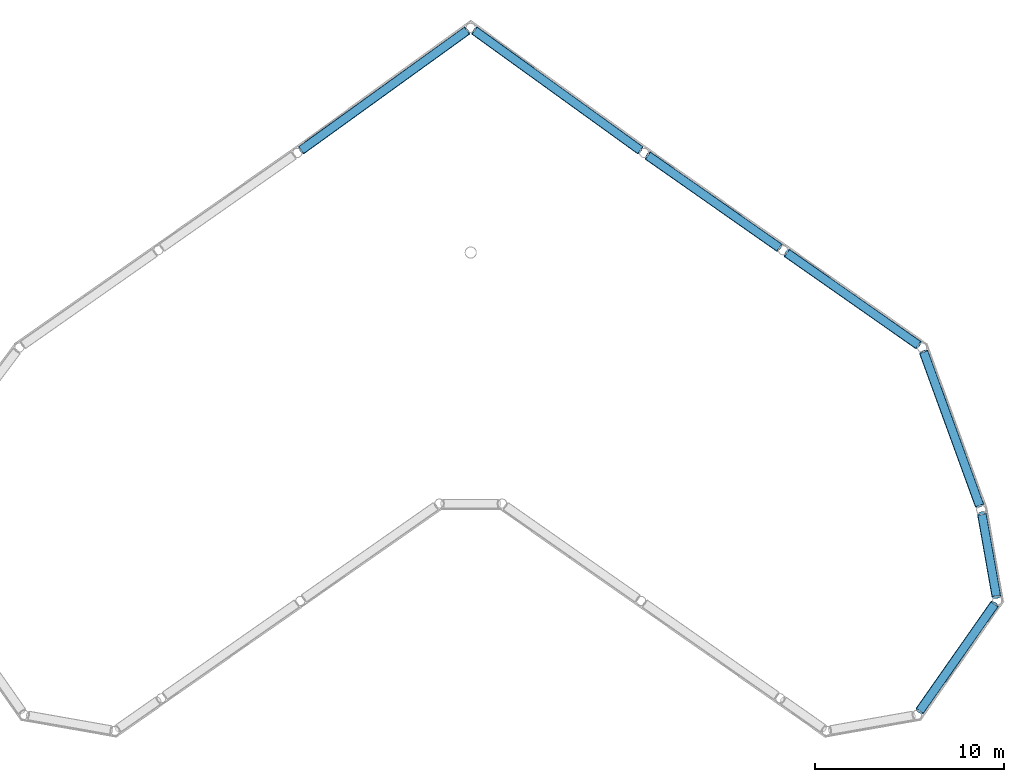
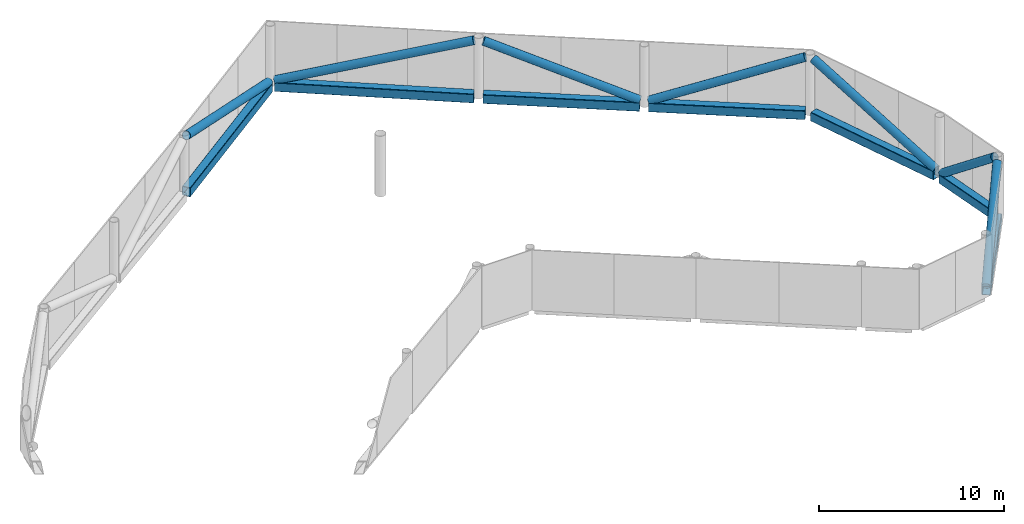
# One storey, part 3 of 4: 7 beams, 7 members.
"""IFC4 building model written with IfcOpenShell, lengths in metres."""

from ifc_helpers import new_model, si_unit, direction, frame, origin, origin_2d, place, context, subcontext, project, spatial, hollow_rectangle, hollow_circle, extrude, material, material_profile, profile_set, type_object, element, save


model = new_model("IFC4")

# Units and contexts
model_context = context("Model", 3, precision=1e-05, world=origin(), true_north=direction((0.0, 1.0)))
body_context = subcontext(model_context, "Body", "Model", "MODEL_VIEW")
ifc_project = project(units=[si_unit("LENGTHUNIT", "METRE"), si_unit("AREAUNIT", "SQUARE_METRE"), si_unit("VOLUMEUNIT", "CUBIC_METRE"), si_unit("PLANEANGLEUNIT", "RADIAN"), si_unit("MASSUNIT", "GRAM", prefix="KILO")], contexts=[model_context])

# Site, building, storey
site_placement = place(None, origin())
site = spatial("IfcSite", under=ifc_project, at=site_placement, CompositionType="ELEMENT")
building_placement = place(site_placement, origin())
building = spatial("IfcBuilding", under=site, at=building_placement, Name="Tel Ilan Convention Tower", CompositionType="ELEMENT")
storey_placement = place(building_placement, frame((0.0, 0.0, 330.800048828125)))
storey = spatial("IfcBuildingStorey", under=building, at=storey_placement, Name="L78", CompositionType="ELEMENT", Elevation=330.800048828125)

# Members
ifc_material_1 = material(Name="Steel S355", Category="steel")
ifc_material_profile_1 = material_profile(ifc_material_1, hollow_circle(Radius=0.25390625, WallThickness=0.01611328125, at=origin_2d()), Name="CHS 508x16")
ifc_profile_set_1 = profile_set([ifc_material_profile_1], Name="Steel S355")
member_type = type_object("IfcMemberType", Name="CROWN FRAME BRACE CHS 508x16", PredefinedType="BRACE", material=ifc_profile_set_1)
member_1_placement = place(storey_placement, frame((23.817626953125, -24.302978515625, 0.300048828125), z_axis=(0.514421702531, 0.734624940888, 0.442375980576), x_axis=(-0.81913539389, 0.573600214851, 0.0)))
element("IfcMember", 1, at=member_1_placement, inside=storey, type_object=member_type, Name="CROWN FRAME brace", PredefinedType="BRACE", context=body_context, shape_type="SweptSolid", body=[
    extrude(hollow_circle(Radius=0.25390625, WallThickness=0.01611328125, at=origin_2d()), origin(), (0.0, 0.0, 1.0), 7.685546875),
])
member_2_placement = place(storey_placement, frame((27.872802734375, -18.198974609375, 3.699951171875), z_axis=(-0.137019267029, 0.777368319025, -0.613941542037), x_axis=(-0.984818960578, -0.173584604405, 0.0)))
element("IfcMember", 2, at=member_2_placement, inside=storey, type_object=member_type, Name="CROWN FRAME brace", PredefinedType="BRACE", context=body_context, shape_type="SweptSolid", body=[
    extrude(hollow_circle(Radius=0.25390625, WallThickness=0.01611328125, at=origin_2d()), origin(), (0.0, 0.0, 1.0), 5.537841796875),
])
member_3_placement = place(storey_placement, frame((26.983154296875, -13.4052734375, 0.300048828125), z_axis=(-0.318502301018, 0.874442667543, 0.36593210494), x_axis=(-0.939612751601, -0.342239502439, 0.0)))
element("IfcMember", 3, at=member_3_placement, inside=storey, type_object=member_type, Name="CROWN FRAME brace", PredefinedType="BRACE", context=body_context, shape_type="SweptSolid", body=[
    extrude(hollow_circle(Radius=0.25390625, WallThickness=0.01611328125, at=origin_2d()), origin(), (0.0, 0.0, 1.0), 9.291015625),
])
member_4_placement = place(storey_placement, frame((23.72900390625, -4.896240234375, 3.699951171875), z_axis=(-0.760425108847, 0.532553791307, -0.371672050604), x_axis=(-0.573647554936, -0.819102241918, 0.0)))
element("IfcMember", 4, at=member_4_placement, inside=storey, type_object=member_type, Name="CROWN FRAME brace", PredefinedType="BRACE", context=body_context, shape_type="SweptSolid", body=[
    extrude(hollow_circle(Radius=0.25390625, WallThickness=0.01611328125, at=origin_2d()), origin(), (0.0, 0.0, 1.0), 9.147705078125),
])
member_5_placement = place(storey_placement, frame((16.35693359375, 0.2666015625, 0.300048828125), z_axis=(-0.760457085565, 0.532488114036, 0.371700725618), x_axis=(-0.573583902989, -0.819146816042, 0.0)))
element("IfcMember", 5, at=member_5_placement, inside=storey, type_object=member_type, Name="CROWN FRAME brace", PredefinedType="BRACE", context=body_context, shape_type="SweptSolid", body=[
    extrude(hollow_circle(Radius=0.25390625, WallThickness=0.01611328125, at=origin_2d()), origin(), (0.0, 0.0, 1.0), 9.14697265625),
])
for number, where, z_axis, x_axis, name in (
    (6, (8.987060546875, 5.431640625, 3.699951171875), (-0.773630892518, 0.558364176575, -0.299540795985), (-0.585236177645, -0.810862883831, 0.0), "CROWN FRAME brace"),
    (7, (-0.2060546875, 11.769287109375, 0.300048828125), (-0.773630892518, -0.558364176575, 0.299540795985), (0.585236177645, -0.810862883831, 0.0), "CROWN FRAME brace"),
):
    element("IfcMember", number, at=place(storey_placement, frame(where, z_axis=z_axis, x_axis=x_axis)), inside=storey, type_object=member_type, Name=name, PredefinedType="BRACE", context=body_context, shape_type="SweptSolid", body=[
        extrude(hollow_circle(Radius=0.25390625, WallThickness=0.01611328125, at=origin_2d()), origin(), (0.0, 0.0, 1.0), 11.350341796875),
    ])

# Beams
ifc_material_2 = material(Name="Steel S355", Category="steel")
ifc_material_profile_2 = material_profile(ifc_material_2, hollow_rectangle(XDim=0.5, YDim=0.60009765625, WallThickness=0.02490234375, InnerFilletRadius=0.02490234375, OuterFilletRadius=0.050048828125, at=origin_2d()), Name="RHS 600x500x25")
ifc_profile_set_2 = profile_set([ifc_material_profile_2], Name="Steel S355")
beam_type = type_object("IfcBeamType", Name="CROWN FRAME RING BEAM RHS 600x500x25", PredefinedType="BEAM", material=ifc_profile_set_2)
beam_1_placement = place(storey_placement, frame((23.817626953125, -24.302978515625, 0.0), z_axis=(0.573600214851, 0.81913539389, 0.0), x_axis=(-0.81913539389, 0.573600214851, 0.0)))
element("IfcBeam", 8, at=beam_1_placement, inside=storey, type_object=beam_type, Name="CROWN FRAME ring beam", PredefinedType="BEAM", context=body_context, shape_type="SweptSolid", body=[
    extrude(hollow_rectangle(XDim=0.5, YDim=0.60009765625, WallThickness=0.02490234375, InnerFilletRadius=0.02490234375, OuterFilletRadius=0.050048828125, at=origin_2d()), origin(), (0.0, 0.0, 1.0), 6.892578125),
])
beam_2_placement = place(storey_placement, frame((27.872802734375, -18.198974609375, 0.0), z_axis=(-0.173584604405, 0.984818960578, 0.0), x_axis=(-0.984818960578, -0.173584604405, 0.0)))
element("IfcBeam", 9, at=beam_2_placement, inside=storey, type_object=beam_type, Name="CROWN FRAME ring beam", PredefinedType="BEAM", context=body_context, shape_type="SweptSolid", body=[
    extrude(hollow_rectangle(XDim=0.5, YDim=0.60009765625, WallThickness=0.02490234375, InnerFilletRadius=0.02490234375, OuterFilletRadius=0.050048828125, at=origin_2d()), origin(), (0.0, 0.0, 1.0), 4.371337890625),
])
beam_3_placement = place(storey_placement, frame((26.983154296875, -13.4052734375, 0.0), z_axis=(-0.342239502439, 0.939612751601, 0.0), x_axis=(-0.939612751601, -0.342239502439, 0.0)))
element("IfcBeam", 10, at=beam_3_placement, inside=storey, type_object=beam_type, Name="CROWN FRAME ring beam", PredefinedType="BEAM", context=body_context, shape_type="SweptSolid", body=[
    extrude(hollow_rectangle(XDim=0.5, YDim=0.60009765625, WallThickness=0.02490234375, InnerFilletRadius=0.02490234375, OuterFilletRadius=0.050048828125, at=origin_2d()), origin(), (0.0, 0.0, 1.0), 8.646728515625),
])
beam_4_placement = place(storey_placement, frame((23.72900390625, -4.896240234375, 0.0), z_axis=(-0.819102241918, 0.573647554936, 0.0), x_axis=(-0.573647554936, -0.819102241918, 0.0)))
element("IfcBeam", 11, at=beam_4_placement, inside=storey, type_object=beam_type, Name="CROWN FRAME ring beam", PredefinedType="BEAM", context=body_context, shape_type="SweptSolid", body=[
    extrude(hollow_rectangle(XDim=0.5, YDim=0.60009765625, WallThickness=0.02490234375, InnerFilletRadius=0.02490234375, OuterFilletRadius=0.050048828125, at=origin_2d()), origin(), (0.0, 0.0, 1.0), 8.4921875),
])
beam_5_placement = place(storey_placement, frame((16.35693359375, 0.2666015625, 0.0), z_axis=(-0.819146816042, 0.573583902989, 0.0), x_axis=(-0.573583902989, -0.819146816042, 0.0)))
element("IfcBeam", 12, at=beam_5_placement, inside=storey, type_object=beam_type, Name="CROWN FRAME ring beam", PredefinedType="BEAM", context=body_context, shape_type="SweptSolid", body=[
    extrude(hollow_rectangle(XDim=0.5, YDim=0.60009765625, WallThickness=0.02490234375, InnerFilletRadius=0.02490234375, OuterFilletRadius=0.050048828125, at=origin_2d()), origin(), (0.0, 0.0, 1.0), 8.491455078125),
])
for number, where, z_axis, x_axis, name in (
    (13, (8.987060546875, 5.431640625, 0.0), (-0.810862883831, 0.585236177645, 0.0), (-0.585236177645, -0.810862883831, 0.0), "CROWN FRAME ring beam"),
    (14, (-0.2060546875, 11.769287109375, 0.0), (-0.810862883831, -0.585236177645, 0.0), (0.585236177645, -0.810862883831, 0.0), "CROWN FRAME ring beam"),
):
    element("IfcBeam", number, at=place(storey_placement, frame(where, z_axis=z_axis, x_axis=x_axis)), inside=storey, type_object=beam_type, Name=name, PredefinedType="BEAM", context=body_context, shape_type="SweptSolid", body=[
        extrude(hollow_rectangle(XDim=0.5, YDim=0.60009765625, WallThickness=0.02490234375, InnerFilletRadius=0.02490234375, OuterFilletRadius=0.050048828125, at=origin_2d()), origin(), (0.0, 0.0, 1.0), 10.8291015625),
    ])

save(model, "model.ifc")
